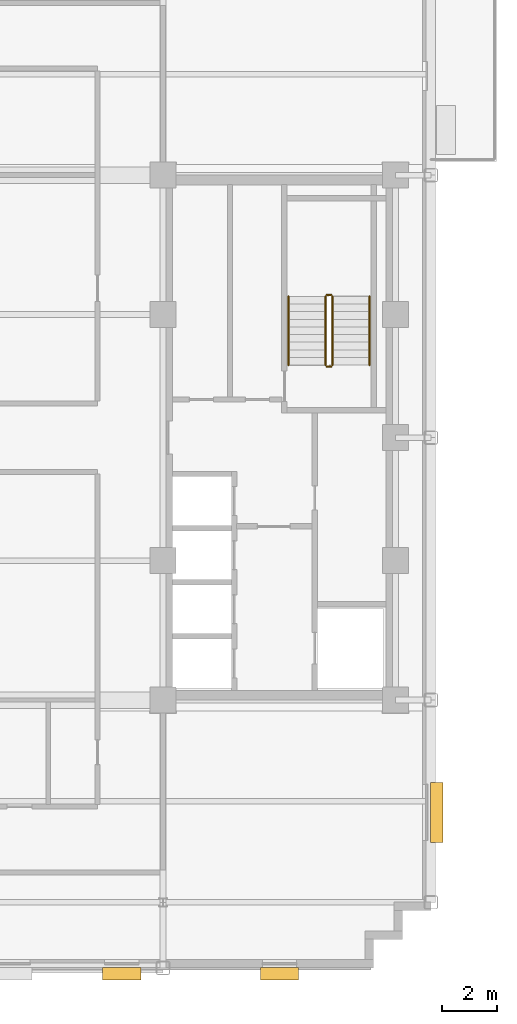
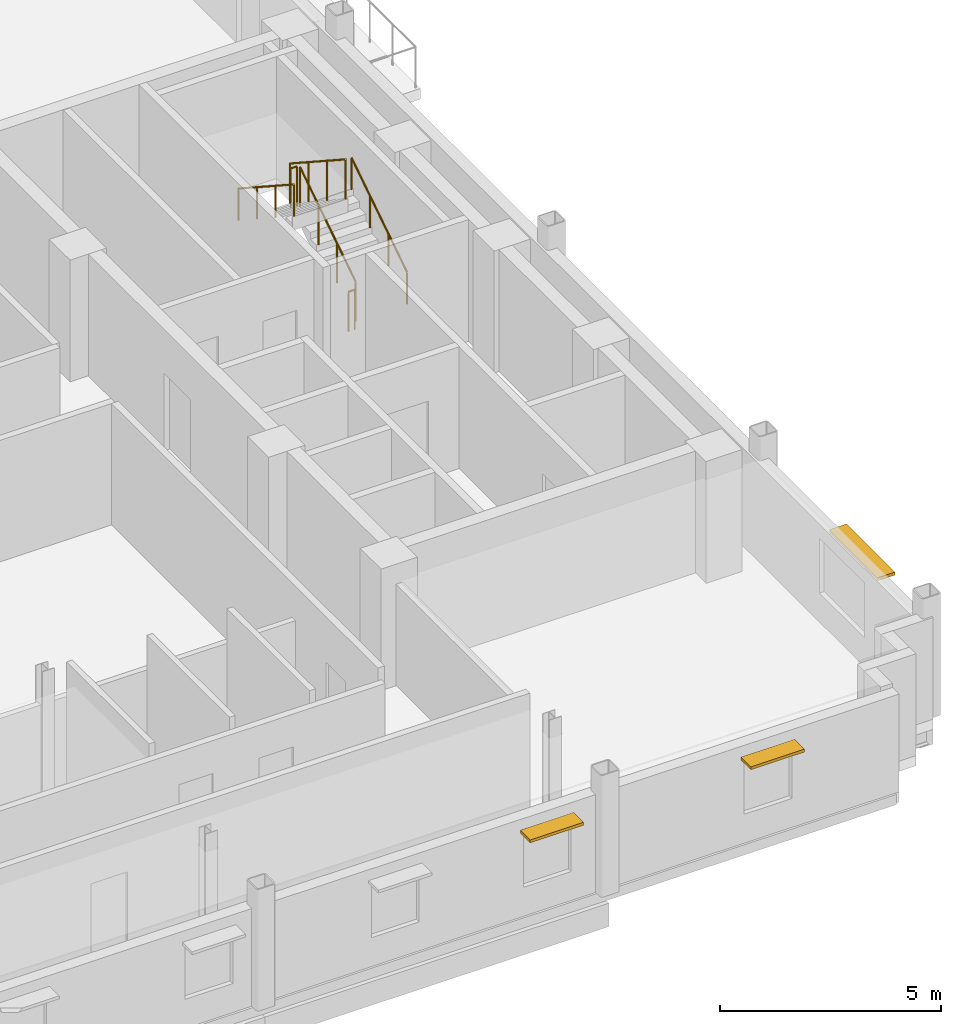
# One storey, part 12 of 13: 6 railings, 3 shading devices.
"""IFC4 building model written with IfcOpenShell, lengths in metres."""

from ifc_helpers import new_model, si_unit, direction, frame, origin, origin_2d, place, context, subcontext, project, spatial, rectangle, circle, extrude, source, transform, mapped, material, type_object, type_shapes, element, save


model = new_model("IFC4")

# Units and contexts
model_context = context("Model", 3, precision=1e-05, world=origin(), true_north=direction((0.0, 1.0)))
body_context = subcontext(model_context, "Body", "Model", "MODEL_VIEW")
ifc_project = project(units=[si_unit("LENGTHUNIT", "METRE"), si_unit("AREAUNIT", "SQUARE_METRE"), si_unit("VOLUMEUNIT", "CUBIC_METRE"), si_unit("PLANEANGLEUNIT", "RADIAN"), si_unit("MASSUNIT", "GRAM", prefix="KILO")], contexts=[model_context])

# Site, building, storey
site_placement = place(None, origin())
site = spatial("IfcSite", under=ifc_project, at=site_placement, CompositionType="ELEMENT")
building_placement = place(site_placement, origin())
building = spatial("IfcBuilding", under=site, at=building_placement, Name="Nuvemarco Arch Tower", CompositionType="ELEMENT")
storey_placement = place(building_placement, frame((0.0, 0.0, 212.800048828125)))
storey = spatial("IfcBuildingStorey", under=building, at=storey_placement, Name="L56", CompositionType="ELEMENT", Elevation=212.800048828125)

# Railings
ifc_material_1 = material(Name="Brushed stainless steel handrail", Category="steel")
railing_type_1 = type_object("IfcRailingType", Name="RL-HANDRAIL-900", PredefinedType="HANDRAIL", material=ifc_material_1)
railing_1_placement = place(storey_placement, frame((16.550048828125, 2.64990234375, 0.182373046875)))
element("IfcRailing", 1, at=railing_1_placement, inside=storey, type_object=railing_type_1, Name="L56 ST-2 stair handrail 1", PredefinedType="HANDRAIL", context=body_context, shape_type="SweptSolid", body=[
    extrude(circle(Radius=0.02392578125, at=origin_2d()), frame((0.0, 0.0, 0.8759765625), z_axis=(0.0, 0.837749427056, 0.546054848405), x_axis=(-1.0, 0.0, 0.0)), (0.0, 0.0, 1.0), 3.008056640625),
    extrude(circle(Radius=0.02099609375, at=origin_2d()), origin(), (0.0, 0.0, 1.0), 0.851806640625),
    extrude(circle(Radius=0.02099609375, at=origin_2d()), frame((0.0, 0.840087890625, 0.547607421875)), (0.0, 0.0, 1.0), 0.851806640625),
    extrude(circle(Radius=0.02099609375, at=origin_2d()), frame((0.0, 1.679931640625, 1.094970703125)), (0.0, 0.0, 1.0), 0.851806640625),
    extrude(circle(Radius=0.02099609375, at=origin_2d()), frame((0.0, 2.52001953125, 1.642578125)), (0.0, 0.0, 1.0), 0.851806640625),
])
railing_2_placement = place(storey_placement, frame((13.590087890625, 5.169921875, 2.007568359375)))
element("IfcRailing", 2, at=railing_2_placement, inside=storey, type_object=railing_type_1, Name="L56 ST-2 stair handrail 2", PredefinedType="HANDRAIL", context=body_context, shape_type="SweptSolid", body=[
    extrude(circle(Radius=0.02392578125, at=origin_2d()), frame((0.0, 0.0, 0.8759765625), z_axis=(0.0, -0.837786554691, 0.545997883492), x_axis=(1.0, 0.0, 0.0)), (0.0, 0.0, 1.0), 3.008056640625),
    extrude(circle(Radius=0.02099609375, at=origin_2d()), origin(), (0.0, 0.0, 1.0), 0.851806640625),
    extrude(circle(Radius=0.02099609375, at=origin_2d()), frame((0.0, -0.840087890625, 0.54736328125)), (0.0, 0.0, 1.0), 0.851806640625),
    extrude(circle(Radius=0.02099609375, at=origin_2d()), frame((0.0, -1.679931640625, 1.094970703125)), (0.0, 0.0, 1.0), 0.851806640625),
    extrude(circle(Radius=0.02099609375, at=origin_2d()), frame((0.0, -2.52001953125, 1.642333984375)), (0.0, 0.0, 1.0), 0.851806640625),
])
ifc_material_2 = material(Name="Painted balustrade steel S355", Category="steel")
railing_type_2 = type_object("IfcRailingType", Name="RL-STAIR-GUARD", PredefinedType="GUARDRAIL", material=ifc_material_2)
railing_3_placement = place(storey_placement, frame((15.199951171875, 2.64990234375, 0.182373046875)))
element("IfcRailing", 3, at=railing_3_placement, inside=storey, type_object=railing_type_2, Name="L56 ST-2 stair guard 1", PredefinedType="GUARDRAIL", context=body_context, shape_type="SweptSolid", body=[
    extrude(circle(Radius=0.02392578125, at=origin_2d()), frame((0.0, 0.0, 1.09619140625), z_axis=(0.0, 0.837749427056, 0.546054848405), x_axis=(-1.0, 0.0, 0.0)), (0.0, 0.0, 1.0), 3.008056640625),
    extrude(circle(Radius=0.02099609375, at=origin_2d()), origin(), (0.0, 0.0, 1.0), 1.072021484375),
    extrude(circle(Radius=0.02099609375, at=origin_2d()), frame((0.0, 0.840087890625, 0.547607421875)), (0.0, 0.0, 1.0), 1.072021484375),
    extrude(circle(Radius=0.02099609375, at=origin_2d()), frame((0.0, 1.679931640625, 1.094970703125)), (0.0, 0.0, 1.0), 1.072021484375),
    extrude(circle(Radius=0.02099609375, at=origin_2d()), frame((0.0, 2.52001953125, 1.642578125)), (0.0, 0.0, 1.0), 1.072021484375),
])
railing_4_placement = place(storey_placement, frame((15.14990234375, 5.219970703125, 1.824951171875)))
element("IfcRailing", 4, at=railing_4_placement, inside=storey, type_object=railing_type_2, Name="L56 ST-2 stair guard 2", PredefinedType="GUARDRAIL", context=body_context, shape_type="SweptSolid", body=[
    extrude(circle(Radius=0.02392578125, at=origin_2d()), frame((0.0, 0.0, 1.09619140625), z_axis=(-1.0, 0.0, 0.0), x_axis=(0.0, -1.0, 0.0)), (0.0, 0.0, 1.0), 0.159912109375),
    extrude(circle(Radius=0.02099609375, at=origin_2d()), origin(), (0.0, 0.0, 1.0), 1.072021484375),
    extrude(circle(Radius=0.02099609375, at=origin_2d()), frame((-0.159912109375, 0.0, 0.0)), (0.0, 0.0, 1.0), 1.072021484375),
])
railing_5_placement = place(storey_placement, frame((14.93994140625, 5.169921875, 2.007568359375)))
element("IfcRailing", 5, at=railing_5_placement, inside=storey, type_object=railing_type_2, Name="L56 ST-2 stair guard 3", PredefinedType="GUARDRAIL", context=body_context, shape_type="SweptSolid", body=[
    extrude(circle(Radius=0.02392578125, at=origin_2d()), frame((0.0, 0.0, 1.09619140625), z_axis=(0.0, -0.837786554691, 0.545997883492), x_axis=(1.0, 0.0, 0.0)), (0.0, 0.0, 1.0), 3.008056640625),
    extrude(circle(Radius=0.02099609375, at=origin_2d()), origin(), (0.0, 0.0, 1.0), 1.072021484375),
    extrude(circle(Radius=0.02099609375, at=origin_2d()), frame((0.0, -0.840087890625, 0.54736328125)), (0.0, 0.0, 1.0), 1.072021484375),
    extrude(circle(Radius=0.02099609375, at=origin_2d()), frame((0.0, -1.679931640625, 1.094970703125)), (0.0, 0.0, 1.0), 1.072021484375),
    extrude(circle(Radius=0.02099609375, at=origin_2d()), frame((0.0, -2.52001953125, 1.642333984375)), (0.0, 0.0, 1.0), 1.072021484375),
])
railing_6_placement = place(storey_placement, frame((15.14990234375, 2.60009765625, 0.0)))
element("IfcRailing", 6, at=railing_6_placement, inside=storey, type_object=railing_type_2, Name="L56 ST-2 stair guard 4", PredefinedType="GUARDRAIL", context=body_context, shape_type="SweptSolid", body=[
    extrude(circle(Radius=0.02392578125, at=origin_2d()), frame((0.0, 0.0, 1.09619140625), z_axis=(-1.0, 0.0, 0.0), x_axis=(0.0, -1.0, 0.0)), (0.0, 0.0, 1.0), 0.159912109375),
    extrude(circle(Radius=0.02099609375, at=origin_2d()), origin(), (0.0, 0.0, 1.0), 1.072021484375),
    extrude(circle(Radius=0.02099609375, at=origin_2d()), frame((-0.159912109375, 0.0, 0.0)), (0.0, 0.0, 1.0), 1.072021484375),
])

# Shading devices
ifc_material_3 = material(Name="Anodised aluminium 6063-T6", Category="aluminium")
shading_device_type_1 = type_object("IfcShadingDeviceType", Name="SHD-BRISE-SOLEIL", PredefinedType="USERDEFINED", material=ifc_material_3)
shared_shape_1 = source(origin(), body_context, "Body", "SweptSolid", [
    extrude(rectangle(XDim=2.199951171875, YDim=0.449951171875, at=origin_2d()), origin(), (0.0, 0.0, 1.0), 0.080078125),
])
type_shapes(shading_device_type_1, [shared_shape_1])
shading_device_placement = place(storey_placement, frame((19.014892578125, -13.708984375, 2.324951171875), z_axis=(0.0, 0.0, 1.0), x_axis=(0.0, 1.0, 0.0)))
element("IfcShadingDevice", 7, at=shading_device_placement, inside=storey, type_object=shading_device_type_1, Name="L56 horizontal brise-soleil sunshade", ObjectType="SUNSHADE", PredefinedType="USERDEFINED", context=body_context, shape_type="MappedRepresentation", body=[
    mapped(shared_shape_1, transform((0.0, 0.0, 0.0), scale=1.0)),
])
shading_device_type_2 = type_object("IfcShadingDeviceType", Name="SHD-BRISE-NARROW", PredefinedType="USERDEFINED", material=ifc_material_3)
shared_shape_2 = source(origin(), body_context, "Body", "SweptSolid", [
    extrude(rectangle(XDim=1.39990234375, YDim=0.449951171875, at=origin_2d()), origin(), (0.0, 0.0, 1.0), 0.080078125),
])
type_shapes(shading_device_type_2, [shared_shape_2])
for number, where, z_axis, x_axis, name in (
    (8, (7.487548828125, -19.614990234375, 2.324951171875), (0.0, 0.0, 1.0), (1.0, 0.0, 0.0), "L56 horizontal brise-soleil sunshade"),
    (9, (13.262451171875, -19.614990234375, 2.324951171875), (0.0, 0.0, 1.0), (1.0, 0.0, 0.0), "L56 horizontal brise-soleil sunshade"),
):
    element("IfcShadingDevice", number, at=place(storey_placement, frame(where, z_axis=z_axis, x_axis=x_axis)), inside=storey, type_object=shading_device_type_2, Name=name, ObjectType="SUNSHADE", PredefinedType="USERDEFINED", context=body_context, shape_type="MappedRepresentation", body=[
        mapped(shared_shape_2, transform((0.0, 0.0, 0.0), scale=1.0)),
    ])

save(model, "model.ifc")
